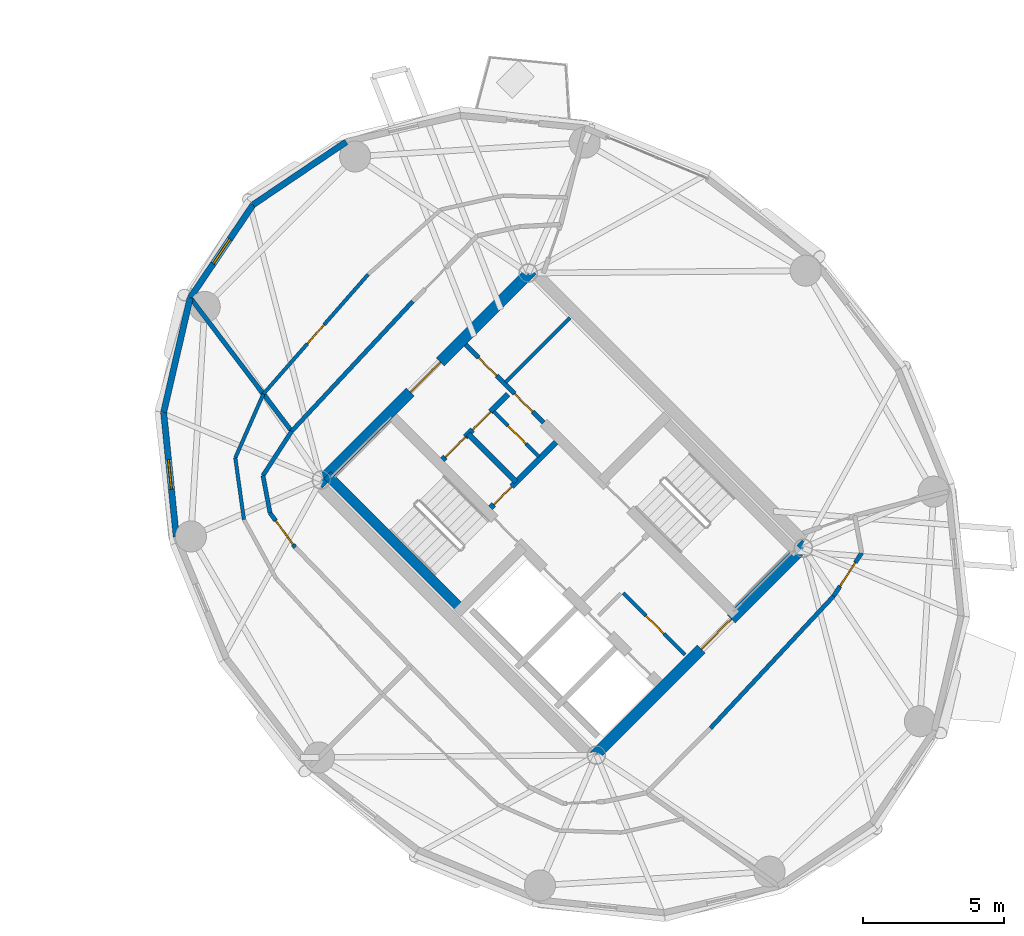
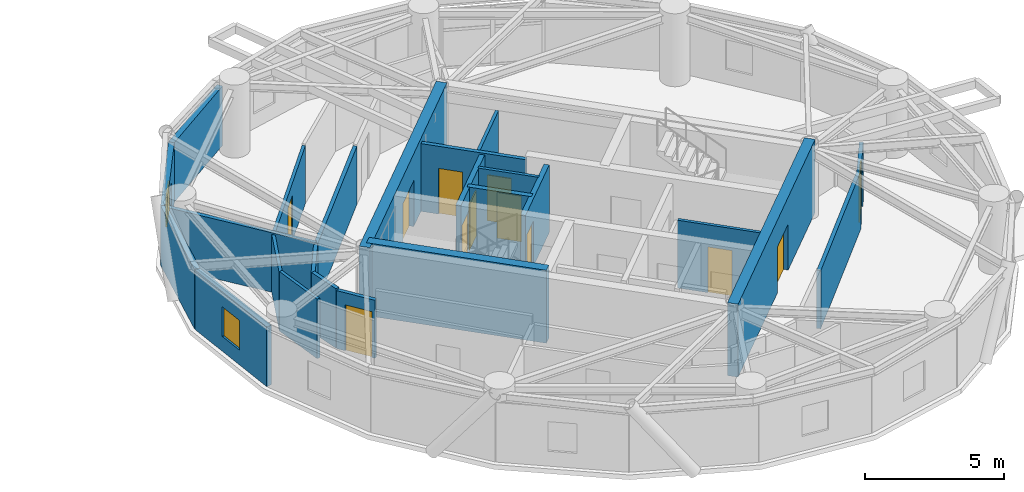
# One storey, part 12 of 17: 24 walls, 12 doors, 2 windows, 14 openings.
"""IFC4 building model written with IfcOpenShell, lengths in metres."""

from ifc_helpers import new_model, si_unit, direction, frame, frame_2d, origin, place, context, subcontext, project, spatial, rectangle, extrude, source, transform, mapped, material, layer, layer_set, type_object, element, fill, save


model = new_model("IFC4")

# Units and contexts
model_context = context("Model", 3, precision=1e-05, world=origin(), true_north=direction((0.0, 1.0)))
body_context = subcontext(model_context, "Body", "Model", "MODEL_VIEW")
ifc_project = project(units=[si_unit("LENGTHUNIT", "METRE"), si_unit("AREAUNIT", "SQUARE_METRE"), si_unit("VOLUMEUNIT", "CUBIC_METRE"), si_unit("PLANEANGLEUNIT", "RADIAN"), si_unit("MASSUNIT", "GRAM", prefix="KILO")], contexts=[model_context])

# Site, building, storey
site_placement = place(None, origin())
site = spatial("IfcSite", under=ifc_project, at=site_placement, CompositionType="ELEMENT")
building_placement = place(site_placement, origin())
building = spatial("IfcBuilding", under=site, at=building_placement, Name="Cununo Teusaquillo Station Towers", CompositionType="ELEMENT")
storey_placement = place(building_placement, frame((0.0, 0.0, 222.85009765625)))
storey = spatial("IfcBuildingStorey", under=building, at=storey_placement, Name="L71", CompositionType="ELEMENT", Elevation=222.85009765625)

# Wall
ifc_material_1 = material(Name="Concrete C50/60", Category="concrete")
ifc_layer_1 = layer(ifc_material_1, 0.35009765625)
ifc_layer_set_1 = layer_set([ifc_layer_1], Name="Concrete C50/60")
wall_type_1 = type_object("IfcWallType", Name="WL-CORE-350", PredefinedType="SHEAR", material=ifc_layer_set_1)
wall_1_placement = place(storey_placement, frame((53.922119140625, 21.14111328125, 0.0), z_axis=(0.0, 0.0, 1.0), x_axis=(-0.707106781187, 0.707106781187, 0.0)))
element("IfcWall", 1, at=wall_1_placement, inside=storey, type_object=wall_type_1, Name="L71 Tower B Core Shear Wall ST1W", PredefinedType="SHEAR", context=body_context, shape_type="SweptSolid", body=[
    extrude(rectangle(XDim=6.695068359375, YDim=0.35009765625, at=frame_2d((3.34765625, 0.0))), origin(), (0.0, 0.0, 1.0), 3.199951171875),
])

# Wall, opening, door
ifc_material_2 = material(Name="Concrete C50/60", Category="concrete")
ifc_layer_2 = layer(ifc_material_2, 0.39990234375)
ifc_layer_set_2 = layer_set([ifc_layer_2], Name="Concrete C50/60")
wall_type_2 = type_object("IfcWallType", Name="WL-CORE-400", PredefinedType="SHEAR", material=ifc_layer_set_2)
wall_2_placement = place(storey_placement, frame((58.560791015625, 15.873291015625, 0.0), z_axis=(0.0, 0.0, 1.0), x_axis=(0.707106781187, 0.707106781187, 0.0)))
wall_2 = element("IfcWall", 2, at=wall_2_placement, inside=storey, type_object=wall_type_2, Name="L71 Tower B Core Shear Wall S", PredefinedType="SHEAR", context=body_context, shape_type="SweptSolid", body=[
    extrude(rectangle(XDim=10.69970703125, YDim=0.39990234375, at=frame_2d((5.349853515625, 0.0))), origin(), (0.0, 0.0, 1.0), 3.199951171875),
])
shared_shape_1 = source(origin(), body_context, "Body", "SweptSolid", [
    extrude(rectangle(XDim=1.5, YDim=2.02001953125, at=frame_2d((0.75, 1.010009765625))), frame((0.0, 0.2099609375, 0.0), z_axis=(0.0, -1.0, 0.0), x_axis=(1.0, 0.0, 0.0)), (0.0, 0.0, 1.0), 0.419921875),
])
opening_1_placement = place(wall_2_placement, frame((5.449951171875, 0.0, 0.0)))
opening_1 = element("IfcOpeningElement", 3, at=opening_1_placement, cuts=wall_2, Name="Opening D-LB1", PredefinedType="OPENING", context=body_context, shape_type="MappedRepresentation", body=[
    mapped(shared_shape_1, transform((0.0, 0.0, 0.0), x_axis=(1.0, 0.0, 0.0), y_axis=(0.0, 1.0, 0.0), z_axis=(0.0, 0.0, 1.0), scale=1.0)),
])
ifc_material_3 = material(Name="Galvanised fire-rated hollow steel door assembly", Category="steel")
door_type_1 = type_object("IfcDoorType", Name="DR-LOBBY-1500", OperationType="DOUBLE_DOOR_SINGLE_SWING", PredefinedType="DOOR", material=ifc_material_3)
shared_shape_2 = source(origin(), body_context, "Body", "SweptSolid", [
    extrude(rectangle(XDim=1.5, YDim=2.02001953125, at=frame_2d((0.75, 1.010009765625))), frame((0.0, 0.02490234375, 0.0), z_axis=(0.0, -1.0, 0.0), x_axis=(1.0, 0.0, 0.0)), (0.0, 0.0, 1.0), 0.050048828125),
])
door_1_placement = place(opening_1_placement, origin())
door_1 = element("IfcDoor", 4, at=door_1_placement, inside=storey, type_object=door_type_1, Name="L71 Tower B South Core Lift Lobby Door", OperationType="DOUBLE_DOOR_SINGLE_SWING", OverallHeight=2.02001953125, OverallWidth=1.5, PredefinedType="DOOR", context=body_context, shape_type="MappedRepresentation", body=[
    mapped(shared_shape_2, transform((0.0, 0.0, 0.0), x_axis=(1.0, 0.0, 0.0), y_axis=(0.0, 1.0, 0.0), z_axis=(0.0, 0.0, 1.0), scale=1.0)),
])
fill(opening_1, door_1)

wall_3_placement = place(storey_placement, frame((48.873291015625, 25.560791015625, 0.0), z_axis=(0.0, 0.0, 1.0), x_axis=(0.707106781187, 0.707106781187, 0.0)))
wall_3 = element("IfcWall", 5, at=wall_3_placement, inside=storey, type_object=wall_type_2, Name="L71 Tower B Core Shear Wall N", PredefinedType="SHEAR", context=body_context, shape_type="SweptSolid", body=[
    extrude(rectangle(XDim=10.69970703125, YDim=0.39990234375, at=frame_2d((5.349853515625, 0.0))), origin(), (0.0, 0.0, 1.0), 3.199951171875),
])
opening_2_placement = place(wall_3_placement, frame((4.60009765625, 0.0, 0.0)))
opening_2 = element("IfcOpeningElement", 6, at=opening_2_placement, cuts=wall_3, Name="Opening D-LB1", PredefinedType="OPENING", context=body_context, shape_type="MappedRepresentation", body=[
    mapped(shared_shape_1, transform((0.0, 0.0, 0.0), x_axis=(1.0, 0.0, 0.0), y_axis=(0.0, 1.0, 0.0), z_axis=(0.0, 0.0, 1.0), scale=1.0)),
])
door_2_placement = place(opening_2_placement, origin())
door_2 = element("IfcDoor", 7, at=door_2_placement, inside=storey, type_object=door_type_1, Name="L71 Tower B North Core Lift Lobby Door", OperationType="DOUBLE_DOOR_SINGLE_SWING", OverallHeight=2.02001953125, OverallWidth=1.5, PredefinedType="DOOR", context=body_context, shape_type="MappedRepresentation", body=[
    mapped(shared_shape_2, transform((0.0, 0.0, 0.0), x_axis=(1.0, 0.0, 0.0), y_axis=(0.0, 1.0, 0.0), z_axis=(0.0, 0.0, 1.0), scale=1.0)),
])
fill(opening_2, door_2)

# Wall
ifc_material_4 = material(Name="Precast concrete C40/50", Category="concrete")
ifc_layer_3 = layer(ifc_material_4, 0.219970703125)
ifc_layer_set_3 = layer_set([ifc_layer_3], Name="Precast concrete C40/50")
wall_type_3 = type_object("IfcWallType", Name="WL-EXT-220", PredefinedType="SOLIDWALL", material=ifc_layer_set_3)
wall_4_placement = place(storey_placement, frame((46.56103515625, 35.43896484375, 0.0), z_axis=(0.0, 0.0, 1.0), x_axis=(0.828833723692, 0.559495003079, 0.0)))
element("IfcWall", 8, at=wall_4_placement, inside=storey, type_object=wall_type_3, Name="L71 Tower B Exterior Facade Wall C04", PredefinedType="SOLIDWALL", context=body_context, shape_type="SweptSolid", body=[
    extrude(rectangle(XDim=3.9755859375, YDim=0.219970703125, at=frame_2d((1.98779296875, 0.0))), origin(), (0.0, 0.0, 1.0), 2.61181640625),
])

# Wall, opening, window
wall_5_placement = place(storey_placement, frame((44.336669921875, 32.143798828125, 0.0), z_axis=(0.0, 0.0, 1.0), x_axis=(0.559495003079, 0.828833723692, 0.0)))
wall_5 = element("IfcWall", 9, at=wall_5_placement, inside=storey, type_object=wall_type_3, Name="L71 Tower B Exterior Facade Wall C05", PredefinedType="SOLIDWALL", context=body_context, shape_type="SweptSolid", body=[
    extrude(rectangle(XDim=3.9755859375, YDim=0.219970703125, at=frame_2d((1.98779296875, 0.0))), origin(), (0.0, 0.0, 1.0), 2.61181640625),
])
shared_shape_3 = source(origin(), body_context, "Body", "SweptSolid", [
    extrude(rectangle(XDim=1.050048828125, YDim=1.300048828125, at=frame_2d((0.52490234375, 0.64990234375))), frame((0.0, 0.119873046875, 0.0), z_axis=(0.0, -1.0, 0.0), x_axis=(1.0, 0.0, 0.0)), (0.0, 0.0, 1.0), 0.239990234375),
])
opening_3_placement = place(wall_5_placement, frame((1.462890625, 0.0, 0.64990234375)))
opening_3 = element("IfcOpeningElement", 10, at=opening_3_placement, cuts=wall_5, Name="Opening WN-04", PredefinedType="OPENING", context=body_context, shape_type="MappedRepresentation", body=[
    mapped(shared_shape_3, transform((0.0, 0.0, 0.0), x_axis=(1.0, 0.0, 0.0), y_axis=(0.0, 1.0, 0.0), z_axis=(0.0, 0.0, 1.0), scale=1.0)),
])
ifc_material_5 = material(Name="Operable acoustic tinted low-E double glazing", Category="glass")
window_type = type_object("IfcWindowType", Name="WIN-BAL-1050", PartitioningType="SINGLE_PANEL", PredefinedType="WINDOW", material=ifc_material_5)
shared_shape_4 = source(origin(), body_context, "Body", "SweptSolid", [
    extrude(rectangle(XDim=1.050048828125, YDim=1.300048828125, at=frame_2d((0.52490234375, 0.64990234375))), frame((0.0, 0.030029296875, 0.0), z_axis=(0.0, -1.0, 0.0), x_axis=(1.0, 0.0, 0.0)), (0.0, 0.0, 1.0), 0.06005859375),
])
window_1_placement = place(opening_3_placement, origin())
window_1 = element("IfcWindow", 11, at=window_1_placement, inside=storey, type_object=window_type, Name="L71 Tower B Facade Window C05", OverallHeight=1.300048828125, OverallWidth=1.050048828125, PartitioningType="SINGLE_PANEL", PredefinedType="WINDOW", context=body_context, shape_type="MappedRepresentation", body=[
    mapped(shared_shape_4, transform((0.0, 0.0, 0.0), x_axis=(1.0, 0.0, 0.0), y_axis=(0.0, 1.0, 0.0), z_axis=(0.0, 0.0, 1.0), scale=1.0)),
])
fill(opening_3, window_1)

# Wall
wall_6_placement = place(storey_placement, frame((43.40087890625, 28.100341796875, 0.0), z_axis=(0.0, 0.0, 1.0), x_axis=(0.225473813158, 0.974249228678, 0.0)))
element("IfcWall", 12, at=wall_6_placement, inside=storey, type_object=wall_type_3, Name="L71 Tower B Exterior Facade Wall C06", PredefinedType="SOLIDWALL", context=body_context, shape_type="SweptSolid", body=[
    extrude(rectangle(XDim=4.150390625, YDim=0.219970703125, at=frame_2d((2.0751953125, 0.0))), origin(), (0.0, 0.0, 1.0), 2.61181640625),
])

# Wall, opening, window
wall_7_placement = place(storey_placement, frame((43.84521484375, 23.70458984375, 0.0), z_axis=(0.0, 0.0, 1.0), x_axis=(-0.100570534541, 0.994929930991, 0.0)))
wall_7 = element("IfcWall", 13, at=wall_7_placement, inside=storey, type_object=wall_type_3, Name="L71 Tower B Exterior Facade Wall C07", PredefinedType="SOLIDWALL", context=body_context, shape_type="SweptSolid", body=[
    extrude(rectangle(XDim=4.418212890625, YDim=0.219970703125, at=frame_2d((2.208984375, 0.0))), origin(), (0.0, 0.0, 1.0), 2.61181640625),
])
opening_4_placement = place(wall_7_placement, frame((1.68408203125, 0.0, 0.64990234375)))
opening_4 = element("IfcOpeningElement", 14, at=opening_4_placement, cuts=wall_7, Name="Opening WN-04", PredefinedType="OPENING", context=body_context, shape_type="MappedRepresentation", body=[
    mapped(shared_shape_3, transform((0.0, 0.0, 0.0), x_axis=(1.0, 0.0, 0.0), y_axis=(0.0, 1.0, 0.0), z_axis=(0.0, 0.0, 1.0), scale=1.0)),
])
window_2_placement = place(opening_4_placement, origin())
window_2 = element("IfcWindow", 15, at=window_2_placement, inside=storey, type_object=window_type, Name="L71 Tower B Facade Window C07", OverallHeight=1.300048828125, OverallWidth=1.050048828125, PartitioningType="SINGLE_PANEL", PredefinedType="WINDOW", context=body_context, shape_type="MappedRepresentation", body=[
    mapped(shared_shape_4, transform((0.0, 0.0, 0.0), x_axis=(1.0, 0.0, 0.0), y_axis=(0.0, 1.0, 0.0), z_axis=(0.0, 0.0, 1.0), scale=1.0)),
])
fill(opening_4, window_2)

# Wall, opening, door
ifc_material_6 = material(Name="Fire-rated gypsum plasterboard partition assembly", Category="gypsum")
ifc_layer_4 = layer(ifc_material_6, 0.125)
ifc_layer_set_4 = layer_set([ifc_layer_4], Name="Fire-rated gypsum plasterboard partition assembly")
wall_type_4 = type_object("IfcWallType", Name="WL-PART-125", PredefinedType="PARTITIONING", material=ifc_layer_set_4)
wall_8_placement = place(storey_placement, frame((61.834716796875, 19.529052734375, 0.0), z_axis=(0.0, 0.0, 1.0), x_axis=(-0.707146413884, 0.707067146267, 0.0)))
wall_8 = element("IfcWall", 16, at=wall_8_placement, inside=storey, type_object=wall_type_4, Name="L71 Tower B South-West Tall Store East Wall", PredefinedType="PARTITIONING", context=body_context, shape_type="SweptSolid", body=[
    extrude(rectangle(XDim=3.079833984375, YDim=0.125, at=frame_2d((1.5400390625, 0.0))), origin(), (0.0, 0.0, 1.0), 2.974853515625),
])
shared_shape_5 = source(origin(), body_context, "Body", "SweptSolid", [
    extrude(rectangle(XDim=0.89990234375, YDim=2.0048828125, at=frame_2d((0.449951171875, 1.00244140625))), frame((0.0, 0.072509765625, 0.0), z_axis=(0.0, -1.0, 0.0), x_axis=(1.0, 0.0, 0.0)), (0.0, 0.0, 1.0), 0.14501953125),
])
opening_5_placement = place(wall_8_placement, frame((1.050048828125, 0.0, 0.0)))
opening_5 = element("IfcOpeningElement", 17, at=opening_5_placement, cuts=wall_8, Name="Opening D-SR1", PredefinedType="OPENING", context=body_context, shape_type="MappedRepresentation", body=[
    mapped(shared_shape_5, transform((0.0, 0.0, 0.0), x_axis=(1.0, 0.0, 0.0), y_axis=(0.0, 1.0, 0.0), z_axis=(0.0, 0.0, 1.0), scale=1.0)),
])
ifc_material_7 = material(Name="Galvanised fire-rated hollow steel door assembly", Category="steel")
door_type_2 = type_object("IfcDoorType", Name="DR-STORE-900", OperationType="NOTDEFINED", PredefinedType="DOOR", material=ifc_material_7)
shared_shape_6 = source(origin(), body_context, "Body", "SweptSolid", [
    extrude(rectangle(XDim=0.89990234375, YDim=2.0048828125, at=frame_2d((0.449951171875, 1.00244140625))), frame((0.0, 0.02490234375, 0.0), z_axis=(0.0, -1.0, 0.0), x_axis=(1.0, 0.0, 0.0)), (0.0, 0.0, 1.0), 0.050048828125),
])
door_3_placement = place(opening_5_placement, origin())
door_3 = element("IfcDoor", 18, at=door_3_placement, inside=storey, type_object=door_type_2, Name="L71 Tower B South Cleaners Store Door", OperationType="SINGLE_SWING_RIGHT", OverallHeight=2.0048828125, OverallWidth=0.89990234375, PredefinedType="DOOR", context=body_context, shape_type="MappedRepresentation", body=[
    mapped(shared_shape_6, transform((0.0, 0.0, 0.0), x_axis=(1.0, 0.0, 0.0), y_axis=(0.0, 1.0, 0.0), z_axis=(0.0, 0.0, 1.0), scale=1.0)),
])
fill(opening_5, door_3)

wall_9_placement = place(storey_placement, frame((56.672607421875, 26.529296875, 0.0), z_axis=(0.0, 0.0, 1.0), x_axis=(-0.707052764397, 0.70716079385, 0.0)))
wall_9 = element("IfcWall", 19, at=wall_9_placement, inside=storey, type_object=wall_type_4, Name="L71 Tower B Core Vertical Split Wall", PredefinedType="PARTITIONING", context=body_context, shape_type="SweptSolid", body=[
    extrude(rectangle(XDim=2.260009765625, YDim=0.125, at=frame_2d((1.1298828125, 0.0))), origin(), (0.0, 0.0, 1.0), 2.974853515625),
])
opening_6_placement = place(wall_9_placement, frame((0.64990234375, 0.0, 0.0)))
opening_6 = element("IfcOpeningElement", 20, at=opening_6_placement, cuts=wall_9, Name="Opening D-SR1", PredefinedType="OPENING", context=body_context, shape_type="MappedRepresentation", body=[
    mapped(shared_shape_5, transform((0.0, 0.0, 0.0), x_axis=(1.0, 0.0, 0.0), y_axis=(0.0, 1.0, 0.0), z_axis=(0.0, 0.0, 1.0), scale=1.0)),
])
door_4_placement = place(opening_6_placement, origin())
door_4 = element("IfcDoor", 21, at=door_4_placement, inside=storey, type_object=door_type_2, Name="L71 Tower B Core Electrical Room Door", OperationType="SINGLE_SWING_RIGHT", OverallHeight=2.0048828125, OverallWidth=0.89990234375, PredefinedType="DOOR", context=body_context, shape_type="MappedRepresentation", body=[
    mapped(shared_shape_6, transform((0.0, 0.0, 0.0), x_axis=(1.0, 0.0, 0.0), y_axis=(0.0, 1.0, 0.0), z_axis=(0.0, 0.0, 1.0), scale=1.0)),
])
fill(opening_6, door_4)

# Wall
wall_10_placement = place(storey_placement, frame((55.49169921875, 29.1669921875, 0.0), z_axis=(0.0, 0.0, 1.0), x_axis=(0.707144688645, 0.707068871696, 0.0)))
element("IfcWall", 22, at=wall_10_placement, inside=storey, type_object=wall_type_4, Name="L71 Tower B Reclaimed Bay Divider Wall", PredefinedType="PARTITIONING", context=body_context, shape_type="SweptSolid", body=[
    extrude(rectangle(XDim=3.22021484375, YDim=0.125, at=frame_2d((1.610107421875, 0.0))), origin(), (0.0, 0.0, 1.0), 2.511962890625),
])

# Wall, opening, door
wall_11_placement = place(storey_placement, frame((50.6337890625, 32.9765625, 0.0), z_axis=(0.0, 0.0, 1.0), x_axis=(-0.659241945747, -0.751930885765, 0.0)))
wall_11 = element("IfcWall", 23, at=wall_11_placement, inside=storey, type_object=wall_type_4, Name="L71 Tower B 300-Metre Panoramic Dining Hall Concentric Partition Wall C05", PredefinedType="PARTITIONING", context=body_context, shape_type="SweptSolid", body=[
    extrude(rectangle(XDim=5.62353515625, YDim=0.125, at=frame_2d((2.811767578125, 0.0))), origin(), (0.0, 0.0, 1.0), 2.544921875),
])
opening_7_placement = place(wall_11_placement, frame((2.36181640625, 0.0, 0.0)))
opening_7 = element("IfcOpeningElement", 24, at=opening_7_placement, cuts=wall_11, Name="Opening D-IN1", PredefinedType="OPENING", context=body_context, shape_type="MappedRepresentation", body=[
    mapped(shared_shape_5, transform((0.0, 0.0, 0.0), x_axis=(1.0, 0.0, 0.0), y_axis=(0.0, 1.0, 0.0), z_axis=(0.0, 0.0, 1.0), scale=1.0)),
])
ifc_material_8 = material(Name="Acoustic solid-core hardwood leaf assembly", Category="wood")
door_type_3 = type_object("IfcDoorType", Name="DR-INT-900", OperationType="NOTDEFINED", PredefinedType="DOOR", material=ifc_material_8)
door_5_placement = place(opening_7_placement, origin())
door_5 = element("IfcDoor", 25, at=door_5_placement, inside=storey, type_object=door_type_3, Name="L71 Tower B 300-Metre Panoramic Dining Hall Connecting Door", OperationType="SINGLE_SWING_RIGHT", OverallHeight=2.0048828125, OverallWidth=0.89990234375, PredefinedType="DOOR", context=body_context, shape_type="MappedRepresentation", body=[
    mapped(shared_shape_6, transform((0.0, 0.0, 0.0), x_axis=(1.0, 0.0, 0.0), y_axis=(0.0, 1.0, 0.0), z_axis=(0.0, 0.0, 1.0), scale=1.0)),
])
fill(opening_7, door_5)

# Walls
wall_12_placement = place(storey_placement, frame((46.926513671875, 28.748046875, 0.0), z_axis=(0.0, 0.0, 1.0), x_axis=(-0.401820136661, -0.91571861277, 0.0)))
element("IfcWall", 26, at=wall_12_placement, inside=storey, type_object=wall_type_4, Name="L71 Tower B Chef Tasting Counter & Wine Vault Concentric Partition Wall C06", PredefinedType="PARTITIONING", context=body_context, shape_type="SweptSolid", body=[
    extrude(rectangle(XDim=2.468017578125, YDim=0.125, at=frame_2d((1.23388671875, 0.0))), origin(), (0.0, 0.0, 1.0), 2.544921875),
])
wall_13_placement = place(storey_placement, frame((45.934814453125, 26.488037109375, 0.0), z_axis=(0.0, 0.0, 1.0), x_axis=(0.138347758345, -0.990383712387, 0.0)))
element("IfcWall", 27, at=wall_13_placement, inside=storey, type_object=wall_type_4, Name="L71 Tower B Chef Tasting Counter & Wine Vault Concentric Partition Wall C07", PredefinedType="PARTITIONING", context=body_context, shape_type="SweptSolid", body=[
    extrude(rectangle(XDim=2.202392578125, YDim=0.125, at=frame_2d((1.10107421875, 0.0))), origin(), (0.0, 0.0, 1.0), 2.61181640625),
])
ifc_material_9 = material(Name="Fire-rated gypsum plasterboard partition assembly", Category="gypsum")
ifc_layer_5 = layer(ifc_material_9, 0.14990234375)
ifc_layer_set_5 = layer_set([ifc_layer_5], Name="Fire-rated gypsum plasterboard partition assembly")
wall_type_5 = type_object("IfcWallType", Name="WL-PART-150", PredefinedType="PARTITIONING", material=ifc_layer_set_5)
wall_14_placement = place(storey_placement, frame((52.21240234375, 32.0244140625, 0.0), z_axis=(0.0, 0.0, 1.0), x_axis=(-0.682158998173, -0.731203871169, 0.0)))
element("IfcWall", 28, at=wall_14_placement, inside=storey, type_object=wall_type_5, Name="L71 Tower B Corridor Ring Wall C05", PredefinedType="PARTITIONING", context=body_context, shape_type="SweptSolid", body=[
    extrude(rectangle(XDim=6.2822265625, YDim=0.14990234375, at=frame_2d((3.14111328125, 0.0))), origin(), (0.0, 0.0, 1.0), 2.544921875),
])
wall_15_placement = place(storey_placement, frame((47.927001953125, 27.430908203125, 0.0), z_axis=(0.0, 0.0, 1.0), x_axis=(-0.543126643356, -0.839650790077, 0.0)))
element("IfcWall", 29, at=wall_15_placement, inside=storey, type_object=wall_type_5, Name="L71 Tower B Corridor Ring Wall C06", PredefinedType="PARTITIONING", context=body_context, shape_type="SweptSolid", body=[
    extrude(rectangle(XDim=1.8681640625, YDim=0.14990234375, at=frame_2d((0.93408203125, 0.0))), origin(), (0.0, 0.0, 1.0), 2.544921875),
])
wall_16_placement = place(storey_placement, frame((46.912353515625, 25.8623046875, 0.0), z_axis=(0.0, 0.0, 1.0), x_axis=(0.186095172215, -0.98253172309, 0.0)))
element("IfcWall", 30, at=wall_16_placement, inside=storey, type_object=wall_type_5, Name="L71 Tower B Corridor Ring Wall C07", PredefinedType="PARTITIONING", context=body_context, shape_type="SweptSolid", body=[
    extrude(rectangle(XDim=1.345947265625, YDim=0.14990234375, at=frame_2d((0.6728515625, 0.0))), origin(), (0.0, 0.0, 1.0), 2.61181640625),
])

# Wall, opening, door
wall_17_placement = place(storey_placement, frame((47.162841796875, 24.539794921875, 0.0), z_axis=(0.0, 0.0, 1.0), x_axis=(0.589711902124, -0.807613690135, 0.0)))
wall_17 = element("IfcWall", 31, at=wall_17_placement, inside=storey, type_object=wall_type_5, Name="L71 Tower B Corridor Ring Wall C08", PredefinedType="PARTITIONING", context=body_context, shape_type="SweptSolid", body=[
    extrude(rectangle(XDim=1.507080078125, YDim=0.14990234375, at=frame_2d((0.75341796875, 0.0))), origin(), (0.0, 0.0, 1.0), 2.544921875),
])
shared_shape_7 = source(origin(), body_context, "Body", "SweptSolid", [
    extrude(rectangle(XDim=1.050048828125, YDim=2.014892578125, at=frame_2d((0.52490234375, 1.00732421875))), frame((0.0, 0.0849609375, 0.0), z_axis=(0.0, -1.0, 0.0), x_axis=(1.0, 0.0, 0.0)), (0.0, 0.0, 1.0), 0.169921875),
])
opening_8_placement = place(wall_17_placement, frame((0.3369140625, 0.0, 0.0)))
opening_8 = element("IfcOpeningElement", 32, at=opening_8_placement, cuts=wall_17, Name="Opening D-SU1", PredefinedType="OPENING", context=body_context, shape_type="MappedRepresentation", body=[
    mapped(shared_shape_7, transform((0.0, 0.0, 0.0), x_axis=(1.0, 0.0, 0.0), y_axis=(0.0, 1.0, 0.0), z_axis=(0.0, 0.0, 1.0), scale=1.0)),
])
ifc_material_10 = material(Name="Acoustic solid-core hardwood leaf assembly", Category="wood")
door_type_4 = type_object("IfcDoorType", Name="DR-SUITE-1050", OperationType="NOTDEFINED", PredefinedType="DOOR", material=ifc_material_10)
shared_shape_8 = source(origin(), body_context, "Body", "SweptSolid", [
    extrude(rectangle(XDim=1.050048828125, YDim=2.014892578125, at=frame_2d((0.52490234375, 1.00732421875))), frame((0.0, 0.02490234375, 0.0), z_axis=(0.0, -1.0, 0.0), x_axis=(1.0, 0.0, 0.0)), (0.0, 0.0, 1.0), 0.050048828125),
])
door_6_placement = place(opening_8_placement, origin())
door_6 = element("IfcDoor", 33, at=door_6_placement, inside=storey, type_object=door_type_4, Name="L71 Tower B Chef Tasting Counter & Wine Vault Entrance Door", OperationType="SINGLE_SWING_LEFT", OverallHeight=2.014892578125, OverallWidth=1.050048828125, PredefinedType="DOOR", context=body_context, shape_type="MappedRepresentation", body=[
    mapped(shared_shape_8, transform((0.0, 0.0, 0.0), x_axis=(1.0, 0.0, 0.0), y_axis=(0.0, 1.0, 0.0), z_axis=(0.0, 0.0, 1.0), scale=1.0)),
])
fill(opening_8, door_6)

# Wall
wall_18_placement = place(storey_placement, frame((62.735595703125, 16.923828125, 0.0), z_axis=(0.0, 0.0, 1.0), x_axis=(0.681946700833, 0.731401871219, 0.0)))
element("IfcWall", 34, at=wall_18_placement, inside=storey, type_object=wall_type_5, Name="L71 Tower B Corridor Ring Wall C15", PredefinedType="PARTITIONING", context=body_context, shape_type="SweptSolid", body=[
    extrude(rectangle(XDim=6.392822265625, YDim=0.14990234375, at=frame_2d((3.1962890625, 0.0))), origin(), (0.0, 0.0, 1.0), 2.544921875),
])

# Wall, opening, door
wall_19_placement = place(storey_placement, frame((67.09521484375, 21.599609375, 0.0), z_axis=(0.0, 0.0, 1.0), x_axis=(0.543773190184, 0.839232219137, 0.0)))
wall_19 = element("IfcWall", 35, at=wall_19_placement, inside=storey, type_object=wall_type_5, Name="L71 Tower B Corridor Ring Wall C16", PredefinedType="PARTITIONING", context=body_context, shape_type="SweptSolid", body=[
    extrude(rectangle(XDim=1.82275390625, YDim=0.14990234375, at=frame_2d((0.911376953125, 0.0))), origin(), (0.0, 0.0, 1.0), 2.544921875),
])
shared_shape_9 = source(origin(), body_context, "Body", "SweptSolid", [
    extrude(rectangle(XDim=1.0, YDim=2.014892578125, at=frame_2d((0.5, 1.00732421875))), frame((0.0, 0.0849609375, 0.0), z_axis=(0.0, -1.0, 0.0), x_axis=(1.0, 0.0, 0.0)), (0.0, 0.0, 1.0), 0.169921875),
])
opening_9_placement = place(wall_19_placement, frame((0.41162109375, 0.0, 0.0)))
opening_9 = element("IfcOpeningElement", 36, at=opening_9_placement, cuts=wall_19, Name="Opening D-AC1", PredefinedType="OPENING", context=body_context, shape_type="MappedRepresentation", body=[
    mapped(shared_shape_9, transform((0.0, 0.0, 0.0), x_axis=(1.0, 0.0, 0.0), y_axis=(0.0, 1.0, 0.0), z_axis=(0.0, 0.0, 1.0), scale=1.0)),
])
ifc_material_11 = material(Name="Acoustic solid-core hardwood leaf assembly", Category="wood")
door_type_5 = type_object("IfcDoorType", Name="DR-ACC-1000", OperationType="NOTDEFINED", PredefinedType="DOOR", material=ifc_material_11)
shared_shape_10 = source(origin(), body_context, "Body", "SweptSolid", [
    extrude(rectangle(XDim=1.0, YDim=2.014892578125, at=frame_2d((0.5, 1.00732421875))), frame((0.0, 0.02490234375, 0.0), z_axis=(0.0, -1.0, 0.0), x_axis=(1.0, 0.0, 0.0)), (0.0, 0.0, 1.0), 0.050048828125),
])
door_7_placement = place(opening_9_placement, origin())
door_7 = element("IfcDoor", 37, at=door_7_placement, inside=storey, type_object=door_type_5, Name="L71 Tower B Public Accessible Restroom WC Entrance Door", OperationType="SINGLE_SWING_LEFT", OverallHeight=2.014892578125, OverallWidth=1.0, PredefinedType="DOOR", context=body_context, shape_type="MappedRepresentation", body=[
    mapped(shared_shape_10, transform((0.0, 0.0, 0.0), x_axis=(1.0, 0.0, 0.0), y_axis=(0.0, 1.0, 0.0), z_axis=(0.0, 0.0, 1.0), scale=1.0)),
])
fill(opening_9, door_7)

# Wall, openings, doors
ifc_material_12 = material(Name="Fire-rated gypsum plasterboard partition assembly", Category="gypsum")
ifc_layer_6 = layer(ifc_material_12, 0.159912109375)
ifc_layer_set_6 = layer_set([ifc_layer_6], Name="Fire-rated gypsum plasterboard partition assembly")
wall_type_6 = type_object("IfcWallType", Name="WL-PART-160", PredefinedType="PARTITIONING", material=ifc_layer_set_6)
wall_20_placement = place(storey_placement, frame((56.8388671875, 27.727783203125, 0.0), z_axis=(0.0, 0.0, 1.0), x_axis=(-0.707106781187, 0.707106781187, 0.0)))
wall_20 = element("IfcWall", 38, at=wall_20_placement, inside=storey, type_object=wall_type_6, Name="L71 Tower B Reclaimed Core Bay Entry Wall", PredefinedType="PARTITIONING", context=body_context, shape_type="SweptSolid", body=[
    extrude(rectangle(XDim=3.900146484375, YDim=0.159912109375, at=frame_2d((1.9501953125, 0.0))), origin(), (0.0, 0.0, 1.0), 2.974853515625),
])
shared_shape_11 = source(origin(), body_context, "Body", "SweptSolid", [
    extrude(rectangle(XDim=0.89990234375, YDim=2.0048828125, at=frame_2d((0.449951171875, 1.00244140625))), frame((0.0, 0.08984375, 0.0), z_axis=(0.0, -1.0, 0.0), x_axis=(1.0, 0.0, 0.0)), (0.0, 0.0, 1.0), 0.179931640625),
])
opening_10_placement = place(wall_20_placement, frame((0.550048828125, 0.0, 0.0)))
opening_10 = element("IfcOpeningElement", 39, at=opening_10_placement, cuts=wall_20, Name="Opening D-IN1", PredefinedType="OPENING", context=body_context, shape_type="MappedRepresentation", body=[
    mapped(shared_shape_11, transform((0.0, 0.0, 0.0), x_axis=(1.0, 0.0, 0.0), y_axis=(0.0, 1.0, 0.0), z_axis=(0.0, 0.0, 1.0), scale=1.0)),
])
opening_11_placement = place(wall_20_placement, frame((2.35009765625, 0.0, 0.0)))
opening_11 = element("IfcOpeningElement", 40, at=opening_11_placement, cuts=wall_20, Name="Opening D-IN1", PredefinedType="OPENING", context=body_context, shape_type="MappedRepresentation", body=[
    mapped(shared_shape_11, transform((0.0, 0.0, 0.0), x_axis=(1.0, 0.0, 0.0), y_axis=(0.0, 1.0, 0.0), z_axis=(0.0, 0.0, 1.0), scale=1.0)),
])
door_8_placement = place(opening_10_placement, origin())
door_8 = element("IfcDoor", 41, at=door_8_placement, inside=storey, type_object=door_type_3, Name="L71 Tower B Reclaimed Core Study Door", OperationType="SINGLE_SWING_LEFT", OverallHeight=2.0048828125, OverallWidth=0.89990234375, PredefinedType="DOOR", context=body_context, shape_type="MappedRepresentation", body=[
    mapped(shared_shape_6, transform((0.0, 0.0, 0.0), x_axis=(1.0, 0.0, 0.0), y_axis=(0.0, 1.0, 0.0), z_axis=(0.0, 0.0, 1.0), scale=1.0)),
])
fill(opening_10, door_8)
door_9_placement = place(opening_11_placement, origin())
door_9 = element("IfcDoor", 42, at=door_9_placement, inside=storey, type_object=door_type_3, Name="L71 Tower B Reclaimed Core Pantry Door", OperationType="SINGLE_SWING_RIGHT", OverallHeight=2.0048828125, OverallWidth=0.89990234375, PredefinedType="DOOR", context=body_context, shape_type="MappedRepresentation", body=[
    mapped(shared_shape_6, transform((0.0, 0.0, 0.0), x_axis=(1.0, 0.0, 0.0), y_axis=(0.0, 1.0, 0.0), z_axis=(0.0, 0.0, 1.0), scale=1.0)),
])
fill(opening_11, door_9)

# Wall
wall_21_placement = place(storey_placement, frame((47.927001953125, 27.430908203125, 0.0), z_axis=(0.0, 0.0, 1.0), x_axis=(-0.604823333103, 0.796359677366, 0.0)))
element("IfcWall", 43, at=wall_21_placement, inside=storey, type_object=wall_type_6, Name="L71 Tower B Radial Suite Partition R02", PredefinedType="PARTITIONING", context=body_context, shape_type="SweptSolid", body=[
    extrude(rectangle(XDim=5.90673828125, YDim=0.159912109375, at=frame_2d((2.953369140625, 0.0))), origin(), (0.0, 0.0, 1.0), 2.61181640625),
])

# Wall, opening, door
ifc_material_13 = material(Name="Fire-rated gypsum plasterboard partition assembly", Category="gypsum")
ifc_layer_7 = layer(ifc_material_13, 0.199951171875)
ifc_layer_set_7 = layer_set([ifc_layer_7], Name="Fire-rated gypsum plasterboard partition assembly")
wall_type_7 = type_object("IfcWallType", Name="WL-PART-200", PredefinedType="PARTITIONING", material=ifc_layer_set_7)
wall_22_placement = place(storey_placement, frame((54.96142578125, 24.71923828125, 0.0), z_axis=(0.0, 0.0, 1.0), x_axis=(0.707106781187, 0.707106781187, 0.0)))
wall_22 = element("IfcWall", 44, at=wall_22_placement, inside=storey, type_object=wall_type_7, Name="L71 Tower B Firefighting Lift Lobby North Fire Wall", PredefinedType="PARTITIONING", context=body_context, shape_type="SweptSolid", body=[
    extrude(rectangle(XDim=3.280029296875, YDim=0.199951171875, at=frame_2d((1.64013671875, 0.0))), origin(), (0.0, 0.0, 1.0), 2.974853515625),
])
shared_shape_12 = source(origin(), body_context, "Body", "SweptSolid", [
    extrude(rectangle(XDim=0.89990234375, YDim=2.0048828125, at=frame_2d((0.449951171875, 1.00244140625))), frame((0.0, 0.10986328125, 0.0), z_axis=(0.0, -1.0, 0.0), x_axis=(1.0, 0.0, 0.0)), (0.0, 0.0, 1.0), 0.219970703125),
])
opening_12_placement = place(wall_22_placement, frame((0.159912109375, 0.0, 0.0)))
opening_12 = element("IfcOpeningElement", 45, at=opening_12_placement, cuts=wall_22, Name="Opening D-SR1", PredefinedType="OPENING", context=body_context, shape_type="MappedRepresentation", body=[
    mapped(shared_shape_12, transform((0.0, 0.0, 0.0), x_axis=(1.0, 0.0, 0.0), y_axis=(0.0, 1.0, 0.0), z_axis=(0.0, 0.0, 1.0), scale=1.0)),
])
door_10_placement = place(opening_12_placement, origin())
door_10 = element("IfcDoor", 46, at=door_10_placement, inside=storey, type_object=door_type_2, Name="L71 Tower B Stair 1 Protected Vestibule South Door", OperationType="SINGLE_SWING_RIGHT", OverallHeight=2.0048828125, OverallWidth=0.89990234375, PredefinedType="DOOR", context=body_context, shape_type="MappedRepresentation", body=[
    mapped(shared_shape_6, transform((0.0, 0.0, 0.0), x_axis=(1.0, 0.0, 0.0), y_axis=(0.0, 1.0, 0.0), z_axis=(0.0, 0.0, 1.0), scale=1.0)),
])
fill(opening_12, door_10)

# Wall
wall_23_placement = place(storey_placement, frame((55.873779296875, 25.63134765625, 0.0), z_axis=(0.0, 0.0, 1.0), x_axis=(-0.707157639372, 0.707055919343, 0.0)))
element("IfcWall", 47, at=wall_23_placement, inside=storey, type_object=wall_type_7, Name="L71 Tower B Stair 1 Vestibule Partition Wall", PredefinedType="PARTITIONING", context=body_context, shape_type="SweptSolid", body=[
    extrude(rectangle(XDim=2.400146484375, YDim=0.199951171875, at=frame_2d((1.2001953125, 0.0))), origin(), (0.0, 0.0, 1.0), 2.974853515625),
])

# Wall, openings, doors
wall_24_placement = place(storey_placement, frame((53.264404296875, 26.416259765625, 0.0), z_axis=(0.0, 0.0, 1.0), x_axis=(0.707106781187, 0.707106781187, 0.0)))
wall_24 = element("IfcWall", 48, at=wall_24_placement, inside=storey, type_object=wall_type_7, Name="L71 Tower B North Lift Lobby South Fire Wall", PredefinedType="PARTITIONING", context=body_context, shape_type="SweptSolid", body=[
    extrude(rectangle(XDim=3.280029296875, YDim=0.199951171875, at=frame_2d((1.64013671875, 0.0))), origin(), (0.0, 0.0, 1.0), 2.974853515625),
])
shared_shape_13 = source(origin(), body_context, "Body", "SweptSolid", [
    extrude(rectangle(XDim=1.0, YDim=2.014892578125, at=frame_2d((0.5, 1.00732421875))), frame((0.0, 0.10986328125, 0.0), z_axis=(0.0, -1.0, 0.0), x_axis=(1.0, 0.0, 0.0)), (0.0, 0.0, 1.0), 0.219970703125),
])
opening_13_placement = place(wall_24_placement, frame((0.139892578125, 0.0, 0.0)))
opening_13 = element("IfcOpeningElement", 49, at=opening_13_placement, cuts=wall_24, Name="Opening D-AC1", PredefinedType="OPENING", context=body_context, shape_type="MappedRepresentation", body=[
    mapped(shared_shape_13, transform((0.0, 0.0, 0.0), x_axis=(1.0, 0.0, 0.0), y_axis=(0.0, 1.0, 0.0), z_axis=(0.0, 0.0, 1.0), scale=1.0)),
])
opening_14_placement = place(wall_24_placement, frame((1.5, 0.0, 0.0)))
opening_14 = element("IfcOpeningElement", 50, at=opening_14_placement, cuts=wall_24, Name="Opening D-SR1", PredefinedType="OPENING", context=body_context, shape_type="MappedRepresentation", body=[
    mapped(shared_shape_12, transform((0.0, 0.0, 0.0), x_axis=(1.0, 0.0, 0.0), y_axis=(0.0, 1.0, 0.0), z_axis=(0.0, 0.0, 1.0), scale=1.0)),
])
door_11_placement = place(opening_14_placement, origin())
door_11 = element("IfcDoor", 51, at=door_11_placement, inside=storey, type_object=door_type_2, Name="L71 Tower B Core Housekeeping Store Door", OperationType="SINGLE_SWING_LEFT", OverallHeight=2.0048828125, OverallWidth=0.89990234375, PredefinedType="DOOR", context=body_context, shape_type="MappedRepresentation", body=[
    mapped(shared_shape_6, transform((0.0, 0.0, 0.0), x_axis=(1.0, 0.0, 0.0), y_axis=(0.0, 1.0, 0.0), z_axis=(0.0, 0.0, 1.0), scale=1.0)),
])
fill(opening_14, door_11)
door_12_placement = place(opening_13_placement, origin())
door_12 = element("IfcDoor", 52, at=door_12_placement, inside=storey, type_object=door_type_5, Name="L71 Tower B North Lift Lobby to Stair 1 Vestibule Door", OperationType="SINGLE_SWING_LEFT", OverallHeight=2.014892578125, OverallWidth=1.0, PredefinedType="DOOR", context=body_context, shape_type="MappedRepresentation", body=[
    mapped(shared_shape_10, transform((0.0, 0.0, 0.0), x_axis=(1.0, 0.0, 0.0), y_axis=(0.0, 1.0, 0.0), z_axis=(0.0, 0.0, 1.0), scale=1.0)),
])
fill(opening_13, door_12)

save(model, "model.ifc")
